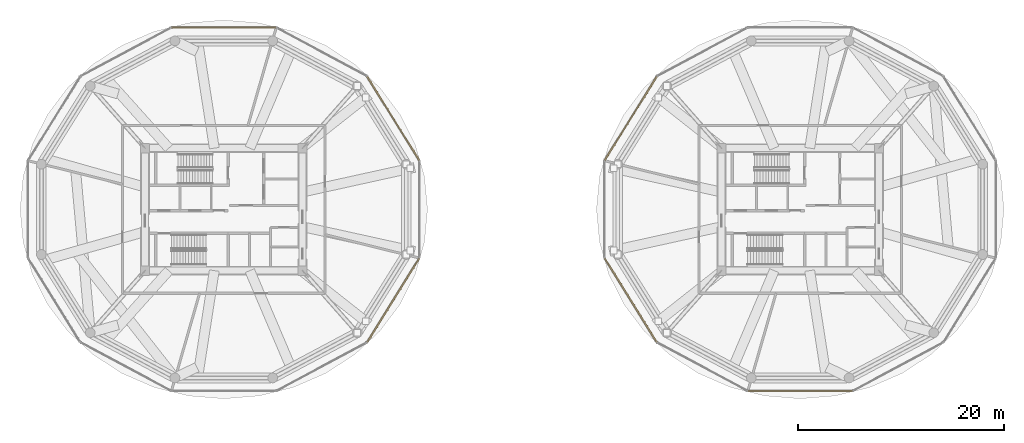
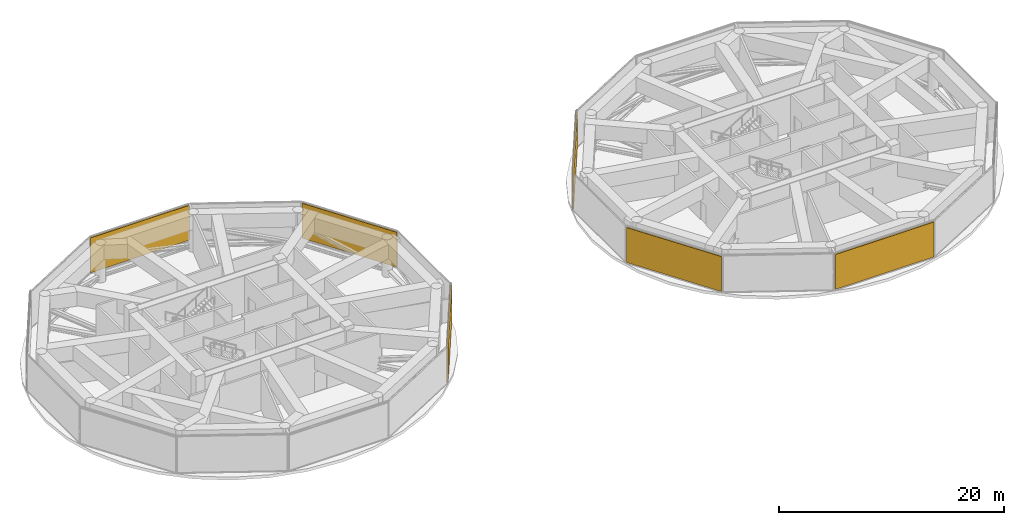
# One storey, part 21 of 22: 6 shading devices.
"""IFC4 building model written with IfcOpenShell, lengths in metres."""

from ifc_helpers import new_model, si_unit, direction, frame, origin, origin_2d, place, context, subcontext, project, spatial, rectangle, extrude, source, transform, mapped, material, type_object, type_shapes, element, save


model = new_model("IFC4")

# Units and contexts
model_context = context("Model", 3, precision=1e-05, world=origin(), true_north=direction((0.0, 1.0)))
body_context = subcontext(model_context, "Body", "Model", "MODEL_VIEW")
ifc_project = project(units=[si_unit("LENGTHUNIT", "METRE"), si_unit("AREAUNIT", "SQUARE_METRE"), si_unit("VOLUMEUNIT", "CUBIC_METRE"), si_unit("PLANEANGLEUNIT", "RADIAN"), si_unit("MASSUNIT", "GRAM", prefix="KILO")], contexts=[model_context])

# Site, building, storey
site_placement = place(None, origin())
site = spatial("IfcSite", under=ifc_project, at=site_placement, CompositionType="ELEMENT")
building_placement = place(site_placement, origin())
building = spatial("IfcBuilding", under=site, at=building_placement, Name="Norrkilde Senior Care Towers", CompositionType="ELEMENT")
storey_placement = place(building_placement, frame((0.0, 0.0, 73.449951171875)))
storey = spatial("IfcBuildingStorey", under=building, at=storey_placement, Name="L22", CompositionType="ELEMENT", Elevation=73.449951171875)

# Shading devices
ifc_material = material(Name="Anodised Aluminium", Category="aluminium")
shading_device_type = type_object("IfcShadingDeviceType", Name="Plant and Crown Acoustic Louvre Screen", PredefinedType="JALOUSIE", material=ifc_material)
shared_shape_1 = source(origin(), body_context, "Body", "SweptSolid", [
    extrude(rectangle(XDim=9.568603515625, YDim=0.14990234375, at=origin_2d()), origin(), (0.0, 0.0, 1.0), 3.780029296875),
])
for number, where, z_axis, x_axis, name in (
    (1, (-11.537353515625, 8.82861328125, 0.14990234375), (0.0, 0.0, 1.0), (0.527900951871, -0.849305943117, 0.0), "L22 Plant Acoustic Louvre Screen W-00"),
    (2, (-11.537353515625, -8.82861328125, 0.14990234375), (0.0, 0.0, 1.0), (-0.527900951871, -0.849305943117, 0.0), "L22 Plant Acoustic Louvre Screen W-10"),
    (3, (11.537353515625, 8.82861328125, 0.14990234375), (0.0, 0.0, 1.0), (0.527900951871, 0.849305943117, 0.0), "L22 Plant Acoustic Louvre Screen E-04"),
    (4, (11.537353515625, -8.82861328125, 0.14990234375), (0.0, 0.0, 1.0), (-0.527900951871, 0.849305943117, 0.0), "L22 Plant Acoustic Louvre Screen E-06"),
):
    element("IfcShadingDevice", number, at=place(storey_placement, frame(where, z_axis=z_axis, x_axis=x_axis)), inside=storey, type_object=shading_device_type, Name=name, PredefinedType="JALOUSIE", context=body_context, shape_type="MappedRepresentation", body=[
        mapped(shared_shape_1, transform((0.0, 0.0, 0.0), x_axis=(1.0, 0.0, 0.0), y_axis=(0.0, 1.0, 0.0), z_axis=(0.0, 0.0, 1.0), scale=1.0)),
    ])
shared_shape_2 = source(origin(), body_context, "Body", "SweptSolid", [
    extrude(rectangle(XDim=10.107177734375, YDim=0.14990234375, at=origin_2d()), origin(), (0.0, 0.0, 1.0), 3.780029296875),
])
type_shapes(shading_device_type, [shared_shape_1, shared_shape_2])
for number, where, z_axis, x_axis, name in (
    (5, (-28.0, 17.6572265625, 0.14990234375), (0.0, 0.0, 1.0), (1.0, 0.0, 0.0), "L22 Plant Acoustic Louvre Screen W-02"),
    (6, (28.0, -17.6572265625, 0.14990234375), (0.0, 0.0, 1.0), (-1.0, 0.0, 0.0), "L22 Plant Acoustic Louvre Screen E-08"),
):
    element("IfcShadingDevice", number, at=place(storey_placement, frame(where, z_axis=z_axis, x_axis=x_axis)), inside=storey, type_object=shading_device_type, Name=name, PredefinedType="JALOUSIE", context=body_context, shape_type="MappedRepresentation", body=[
        mapped(shared_shape_2, transform((0.0, 0.0, 0.0), x_axis=(1.0, 0.0, 0.0), y_axis=(0.0, 1.0, 0.0), z_axis=(0.0, 0.0, 1.0), scale=1.0)),
    ])

save(model, "model.ifc")
